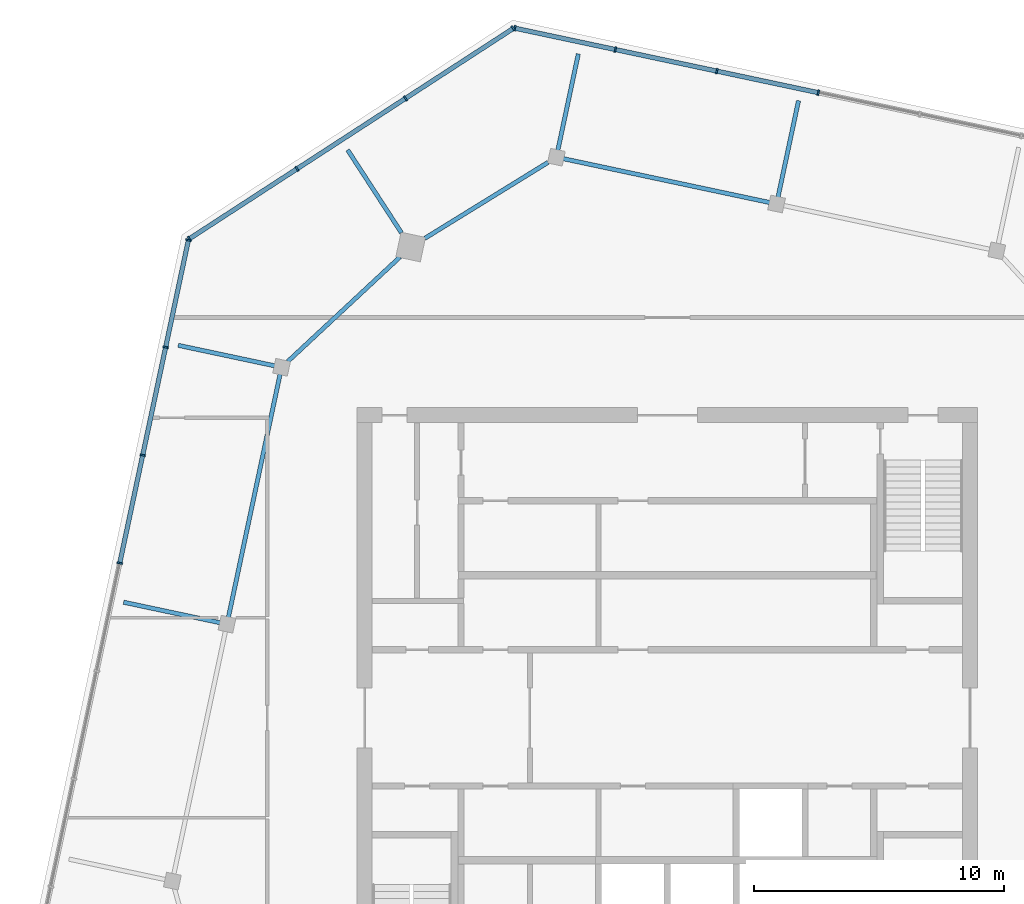
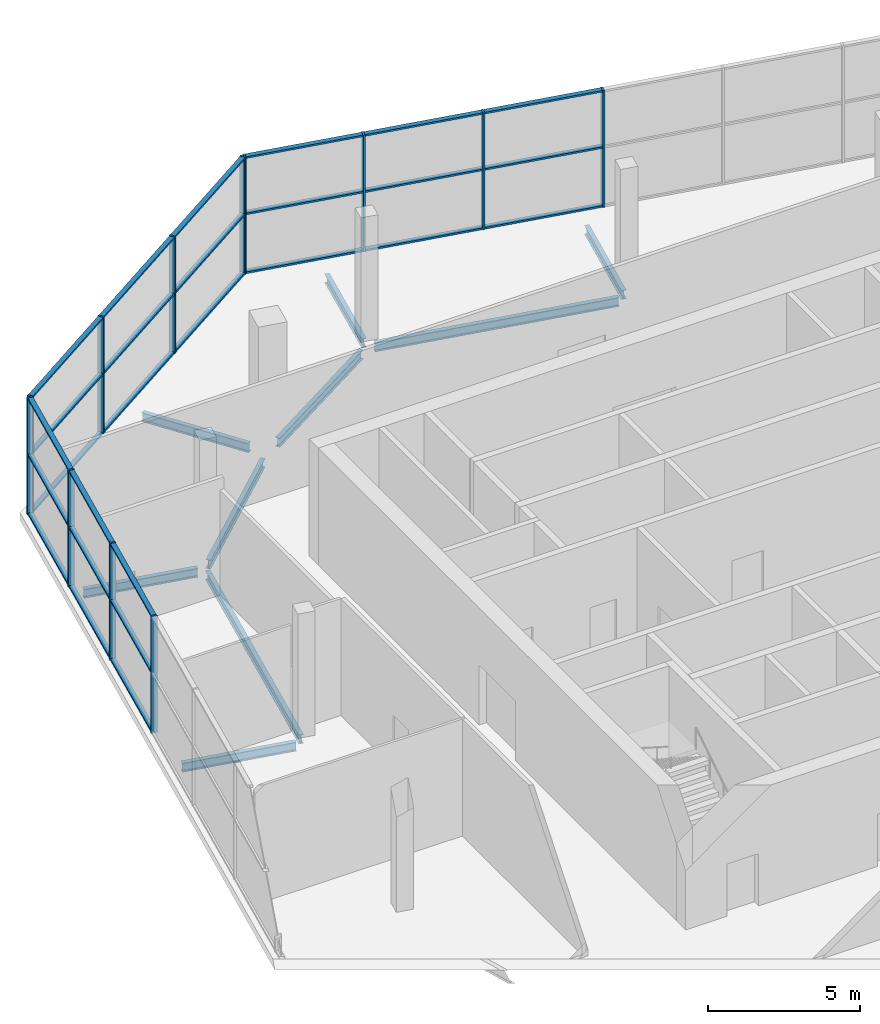
# One storey, part 5 of 11: 39 members, 9 beams, 3 elements without a shape of their own.
"""IFC4 building model written with IfcOpenShell, lengths in metres."""

from ifc_helpers import new_model, si_unit, direction, frame, origin, origin_2d, place, context, subcontext, project, spatial, rectangle, i_section, extrude, material, material_profile, profile_set, type_object, element, aggregate, save


model = new_model("IFC4")

# Units and contexts
model_context = context("Model", 3, precision=1e-05, world=origin(), true_north=direction((0.0, 1.0)))
body_context = subcontext(model_context, "Body", "Model", "MODEL_VIEW")
ifc_project = project(units=[si_unit("LENGTHUNIT", "METRE"), si_unit("AREAUNIT", "SQUARE_METRE"), si_unit("VOLUMEUNIT", "CUBIC_METRE"), si_unit("PLANEANGLEUNIT", "RADIAN"), si_unit("MASSUNIT", "GRAM", prefix="KILO")], contexts=[model_context])

# Site, building, storey
site_placement = place(None, origin())
site = spatial("IfcSite", under=ifc_project, at=site_placement, CompositionType="ELEMENT")
building_placement = place(site_placement, origin())
building = spatial("IfcBuilding", under=site, at=building_placement, Name="Dilmun Exchange Tower", CompositionType="ELEMENT")
storey_placement = place(building_placement, frame((0.0, 0.0, 363.10009765625)))
storey = spatial("IfcBuildingStorey", under=building, at=storey_placement, Name="Crown L85", CompositionType="ELEMENT", Elevation=363.10009765625)

# Curtain wall, members
ifc_material_1 = material(Name="Anodised aluminium and clear glass", Category="aluminium")
curtain_wall_type = type_object("IfcCurtainWallType", Name="Sky garden glazing", PredefinedType="NOTDEFINED", material=ifc_material_1)
curtain_wall_1_placement = place(storey_placement, origin())
curtain_wall_1 = element("IfcCurtainWall", 1, at=curtain_wall_1_placement, inside=storey, type_object=curtain_wall_type, Name="Sky garden glazing run SG5", PredefinedType="NOTDEFINED")
ifc_material_2 = material(Name="Anodised aluminium", Category="aluminium")
ifc_material_profile_1 = material_profile(ifc_material_2, rectangle(XDim=0.219970703125, YDim=0.070068359375, at=origin_2d()), Name="AL 70x220")
ifc_profile_set_1 = profile_set([ifc_material_profile_1], Name="Anodised aluminium")
member_type_1 = type_object("IfcMemberType", Name="Sky garden glazing mullion 70 x 220", PredefinedType="MULLION", material=ifc_profile_set_1)
member_1_placement = place(storey_placement, frame((6.034912109375, 24.991455078125, 0.0), z_axis=(0.0, 0.0, 1.0), x_axis=(-0.207910236087, -0.978147909945, 0.0)))
member_1 = element("IfcMember", 2, at=member_1_placement, type_object=member_type_1, Name="SG5 mullion 4", PredefinedType="MULLION", context=body_context, shape_type="SweptSolid", body=[
    extrude(rectangle(XDim=0.219970703125, YDim=0.070068359375, at=origin_2d()), origin(), (0.0, 0.0, 1.0), 4.699951171875),
])
member_2_placement = place(storey_placement, frame((1.978759765625, 25.853515625, 0.0), z_axis=(0.0, 0.0, 1.0), x_axis=(-0.207910236087, -0.978147909945, 0.0)))
member_2 = element("IfcMember", 3, at=member_2_placement, type_object=member_type_1, Name="SG5 mullion 5", PredefinedType="MULLION", context=body_context, shape_type="SweptSolid", body=[
    extrude(rectangle(XDim=0.219970703125, YDim=0.070068359375, at=origin_2d()), origin(), (0.0, 0.0, 1.0), 4.699951171875),
])
member_3_placement = place(storey_placement, frame((-2.07763671875, 26.7158203125, 0.0), z_axis=(0.0, 0.0, 1.0), x_axis=(-0.207910236087, -0.978147909945, 0.0)))
member_3 = element("IfcMember", 4, at=member_3_placement, type_object=member_type_1, Name="SG5 mullion 6", PredefinedType="MULLION", context=body_context, shape_type="SweptSolid", body=[
    extrude(rectangle(XDim=0.219970703125, YDim=0.070068359375, at=origin_2d()), origin(), (0.0, 0.0, 1.0), 4.699951171875),
])
member_4_placement = place(storey_placement, frame((-6.099609375, 27.570556640625, 0.0), z_axis=(0.0, 0.0, 1.0), x_axis=(-0.207910236087, -0.978147909945, 0.0)))
member_4 = element("IfcMember", 5, at=member_4_placement, type_object=member_type_1, Name="SG5 mullion 7", PredefinedType="MULLION", context=body_context, shape_type="SweptSolid", body=[
    extrude(rectangle(XDim=0.219970703125, YDim=0.070068359375, at=origin_2d()), origin(), (0.0, 0.0, 1.0), 4.699951171875),
])

curtain_wall_2_placement = place(storey_placement, origin())
curtain_wall_2 = element("IfcCurtainWall", 6, at=curtain_wall_2_placement, inside=storey, type_object=curtain_wall_type, Name="Sky garden glazing run SG6", PredefinedType="NOTDEFINED")
member_5_placement = place(storey_placement, frame((-6.163330078125, 27.558837890625, 0.0), z_axis=(0.0, 0.0, 1.0), x_axis=(0.544638369094, -0.838671000399, 0.0)))
member_5 = element("IfcMember", 7, at=member_5_placement, type_object=member_type_1, Name="SG6 mullion 1", PredefinedType="MULLION", context=body_context, shape_type="SweptSolid", body=[
    extrude(rectangle(XDim=0.219970703125, YDim=0.070068359375, at=origin_2d()), origin(), (0.0, 0.0, 1.0), 4.699951171875),
])
member_6_placement = place(storey_placement, frame((-10.469482421875, 24.762451171875, 0.0), z_axis=(0.0, 0.0, 1.0), x_axis=(0.544638369094, -0.838671000399, 0.0)))
member_6 = element("IfcMember", 8, at=member_6_placement, type_object=member_type_1, Name="SG6 mullion 2", PredefinedType="MULLION", context=body_context, shape_type="SweptSolid", body=[
    extrude(rectangle(XDim=0.219970703125, YDim=0.070068359375, at=origin_2d()), origin(), (0.0, 0.0, 1.0), 4.699951171875),
])
member_7_placement = place(storey_placement, frame((-14.80517578125, 21.94677734375, 0.0), z_axis=(0.0, 0.0, 1.0), x_axis=(0.544638369094, -0.838671000399, 0.0)))
member_7 = element("IfcMember", 9, at=member_7_placement, type_object=member_type_1, Name="SG6 mullion 3", PredefinedType="MULLION", context=body_context, shape_type="SweptSolid", body=[
    extrude(rectangle(XDim=0.219970703125, YDim=0.070068359375, at=origin_2d()), origin(), (0.0, 0.0, 1.0), 4.699951171875),
])
member_8_placement = place(storey_placement, frame((-19.111328125, 19.150146484375, 0.0), z_axis=(0.0, 0.0, 1.0), x_axis=(0.544638369094, -0.838671000399, 0.0)))
member_8 = element("IfcMember", 10, at=member_8_placement, type_object=member_type_1, Name="SG6 mullion 4", PredefinedType="MULLION", context=body_context, shape_type="SweptSolid", body=[
    extrude(rectangle(XDim=0.219970703125, YDim=0.070068359375, at=origin_2d()), origin(), (0.0, 0.0, 1.0), 4.699951171875),
])

curtain_wall_3_placement = place(storey_placement, origin())
curtain_wall_3 = element("IfcCurtainWall", 11, at=curtain_wall_3_placement, inside=storey, type_object=curtain_wall_type, Name="Sky garden glazing run SG7", PredefinedType="NOTDEFINED")
member_9_placement = place(storey_placement, frame((-19.14794921875, 19.096923828125, 0.0), z_axis=(0.0, 0.0, 1.0), x_axis=(0.97814767341, -0.207911348902, 0.0)))
member_9 = element("IfcMember", 12, at=member_9_placement, type_object=member_type_1, Name="SG7 mullion 1", PredefinedType="MULLION", context=body_context, shape_type="SweptSolid", body=[
    extrude(rectangle(XDim=0.219970703125, YDim=0.070068359375, at=origin_2d()), origin(), (0.0, 0.0, 1.0), 4.699951171875),
])
member_10_placement = place(storey_placement, frame((-20.057861328125, 14.81591796875, 0.0), z_axis=(0.0, 0.0, 1.0), x_axis=(0.97814767341, -0.207911348902, 0.0)))
member_10 = element("IfcMember", 13, at=member_10_placement, type_object=member_type_1, Name="SG7 mullion 2", PredefinedType="MULLION", context=body_context, shape_type="SweptSolid", body=[
    extrude(rectangle(XDim=0.219970703125, YDim=0.070068359375, at=origin_2d()), origin(), (0.0, 0.0, 1.0), 4.699951171875),
])
member_11_placement = place(storey_placement, frame((-20.97509765625, 10.500732421875, 0.0), z_axis=(0.0, 0.0, 1.0), x_axis=(0.97814767341, -0.207911348902, 0.0)))
member_11 = element("IfcMember", 14, at=member_11_placement, type_object=member_type_1, Name="SG7 mullion 3", PredefinedType="MULLION", context=body_context, shape_type="SweptSolid", body=[
    extrude(rectangle(XDim=0.219970703125, YDim=0.070068359375, at=origin_2d()), origin(), (0.0, 0.0, 1.0), 4.699951171875),
])
member_12_placement = place(storey_placement, frame((-21.892333984375, 6.185546875, 0.0), z_axis=(0.0, 0.0, 1.0), x_axis=(0.97814767341, -0.207911348902, 0.0)))
member_12 = element("IfcMember", 15, at=member_12_placement, type_object=member_type_1, Name="SG7 mullion 4", PredefinedType="MULLION", context=body_context, shape_type="SweptSolid", body=[
    extrude(rectangle(XDim=0.219970703125, YDim=0.070068359375, at=origin_2d()), origin(), (0.0, 0.0, 1.0), 4.699951171875),
])

# Member
ifc_material_profile_2 = material_profile(ifc_material_2, rectangle(XDim=0.179931640625, YDim=0.070068359375, at=origin_2d()), Name="AL 70x180")
ifc_profile_set_2 = profile_set([ifc_material_profile_2], Name="Anodised aluminium")
member_type_2 = type_object("IfcMemberType", Name="Sky garden glazing transom 70 x 180", PredefinedType="USERDEFINED", material=ifc_profile_set_2)
member_13_placement = place(storey_placement, frame((6.000732421875, 24.99853515625, 0.034912109375), z_axis=(-0.978146369204, 0.207917484626, 0.0), x_axis=(-0.207917484626, -0.978146369204, 0.0)))
member_13 = element("IfcMember", 16, at=member_13_placement, type_object=member_type_2, Name="SG5 transom 4.1", ObjectType="TRANSOM", PredefinedType="USERDEFINED", context=body_context, shape_type="SweptSolid", body=[
    extrude(rectangle(XDim=0.179931640625, YDim=0.070068359375, at=origin_2d()), origin(), (0.0, 0.0, 1.0), 4.076904296875),
])

member_14_placement = place(storey_placement, frame((6.000732421875, 24.99853515625, 2.39990234375), z_axis=(-0.978146369204, 0.207917484626, 0.0), x_axis=(-0.207917484626, -0.978146369204, 0.0)))
member_14 = element("IfcMember", 17, at=member_14_placement, type_object=member_type_2, Name="SG5 transom 4.2", ObjectType="TRANSOM", PredefinedType="USERDEFINED", context=body_context, shape_type="SweptSolid", body=[
    extrude(rectangle(XDim=0.179931640625, YDim=0.070068359375, at=origin_2d()), origin(), (0.0, 0.0, 1.0), 4.076904296875),
])

member_15_placement = place(storey_placement, frame((6.000732421875, 24.99853515625, 4.664794921875), z_axis=(-0.978146369204, 0.207917484626, 0.0), x_axis=(-0.207917484626, -0.978146369204, 0.0)))
member_15 = element("IfcMember", 18, at=member_15_placement, type_object=member_type_2, Name="SG5 transom 4.3", ObjectType="TRANSOM", PredefinedType="USERDEFINED", context=body_context, shape_type="SweptSolid", body=[
    extrude(rectangle(XDim=0.179931640625, YDim=0.070068359375, at=origin_2d()), origin(), (0.0, 0.0, 1.0), 4.076904296875),
])

member_16_placement = place(storey_placement, frame((1.9443359375, 25.86083984375, 0.034912109375), z_axis=(-0.978146369204, 0.207917484626, 0.0), x_axis=(-0.207917484626, -0.978146369204, 0.0)))
member_16 = element("IfcMember", 19, at=member_16_placement, type_object=member_type_2, Name="SG5 transom 5.1", ObjectType="TRANSOM", PredefinedType="USERDEFINED", context=body_context, shape_type="SweptSolid", body=[
    extrude(rectangle(XDim=0.179931640625, YDim=0.070068359375, at=origin_2d()), origin(), (0.0, 0.0, 1.0), 4.076904296875),
])

member_17_placement = place(storey_placement, frame((1.9443359375, 25.86083984375, 2.39990234375), z_axis=(-0.978146369204, 0.207917484626, 0.0), x_axis=(-0.207917484626, -0.978146369204, 0.0)))
member_17 = element("IfcMember", 20, at=member_17_placement, type_object=member_type_2, Name="SG5 transom 5.2", ObjectType="TRANSOM", PredefinedType="USERDEFINED", context=body_context, shape_type="SweptSolid", body=[
    extrude(rectangle(XDim=0.179931640625, YDim=0.070068359375, at=origin_2d()), origin(), (0.0, 0.0, 1.0), 4.076904296875),
])

member_18_placement = place(storey_placement, frame((1.9443359375, 25.86083984375, 4.664794921875), z_axis=(-0.978146369204, 0.207917484626, 0.0), x_axis=(-0.207917484626, -0.978146369204, 0.0)))
member_18 = element("IfcMember", 21, at=member_18_placement, type_object=member_type_2, Name="SG5 transom 5.3", ObjectType="TRANSOM", PredefinedType="USERDEFINED", context=body_context, shape_type="SweptSolid", body=[
    extrude(rectangle(XDim=0.179931640625, YDim=0.070068359375, at=origin_2d()), origin(), (0.0, 0.0, 1.0), 4.076904296875),
])

member_19_placement = place(storey_placement, frame((-2.11181640625, 26.722900390625, 0.034912109375), z_axis=(-0.978149332227, 0.207903544617, 0.0), x_axis=(-0.207903544617, -0.978149332227, 0.0)))
member_19 = element("IfcMember", 22, at=member_19_placement, type_object=member_type_2, Name="SG5 transom 6.1", ObjectType="TRANSOM", PredefinedType="USERDEFINED", context=body_context, shape_type="SweptSolid", body=[
    extrude(rectangle(XDim=0.179931640625, YDim=0.070068359375, at=origin_2d()), origin(), (0.0, 0.0, 1.0), 4.0419921875),
])

member_20_placement = place(storey_placement, frame((-2.11181640625, 26.722900390625, 2.39990234375), z_axis=(-0.978149332227, 0.207903544617, 0.0), x_axis=(-0.207903544617, -0.978149332227, 0.0)))
member_20 = element("IfcMember", 23, at=member_20_placement, type_object=member_type_2, Name="SG5 transom 6.2", ObjectType="TRANSOM", PredefinedType="USERDEFINED", context=body_context, shape_type="SweptSolid", body=[
    extrude(rectangle(XDim=0.179931640625, YDim=0.070068359375, at=origin_2d()), origin(), (0.0, 0.0, 1.0), 4.0419921875),
])

member_21_placement = place(storey_placement, frame((-2.11181640625, 26.722900390625, 4.664794921875), z_axis=(-0.978149332227, 0.207903544617, 0.0), x_axis=(-0.207903544617, -0.978149332227, 0.0)))
member_21 = element("IfcMember", 24, at=member_21_placement, type_object=member_type_2, Name="SG5 transom 6.3", ObjectType="TRANSOM", PredefinedType="USERDEFINED", context=body_context, shape_type="SweptSolid", body=[
    extrude(rectangle(XDim=0.179931640625, YDim=0.070068359375, at=origin_2d()), origin(), (0.0, 0.0, 1.0), 4.0419921875),
])

aggregate(curtain_wall_1, [member_1, member_2, member_3, member_4, member_13, member_14, member_15, member_16, member_17, member_18, member_19, member_20, member_21])

member_22_placement = place(storey_placement, frame((-6.192626953125, 27.539794921875, 0.034912109375), z_axis=(-0.838679228037, -0.544625699411, 0.0), x_axis=(0.544625699411, -0.838679228037, 0.0)))
member_22 = element("IfcMember", 25, at=member_22_placement, type_object=member_type_2, Name="SG6 transom 1.1", ObjectType="TRANSOM", PredefinedType="USERDEFINED", context=body_context, shape_type="SweptSolid", body=[
    extrude(rectangle(XDim=0.179931640625, YDim=0.070068359375, at=origin_2d()), origin(), (0.0, 0.0, 1.0), 5.064697265625),
])

member_23_placement = place(storey_placement, frame((-6.192626953125, 27.539794921875, 2.39990234375), z_axis=(-0.838679228037, -0.544625699411, 0.0), x_axis=(0.544625699411, -0.838679228037, 0.0)))
member_23 = element("IfcMember", 26, at=member_23_placement, type_object=member_type_2, Name="SG6 transom 1.2", ObjectType="TRANSOM", PredefinedType="USERDEFINED", context=body_context, shape_type="SweptSolid", body=[
    extrude(rectangle(XDim=0.179931640625, YDim=0.070068359375, at=origin_2d()), origin(), (0.0, 0.0, 1.0), 5.064697265625),
])

member_24_placement = place(storey_placement, frame((-6.192626953125, 27.539794921875, 4.664794921875), z_axis=(-0.838679228037, -0.544625699411, 0.0), x_axis=(0.544625699411, -0.838679228037, 0.0)))
member_24 = element("IfcMember", 27, at=member_24_placement, type_object=member_type_2, Name="SG6 transom 1.3", ObjectType="TRANSOM", PredefinedType="USERDEFINED", context=body_context, shape_type="SweptSolid", body=[
    extrude(rectangle(XDim=0.179931640625, YDim=0.070068359375, at=origin_2d()), origin(), (0.0, 0.0, 1.0), 5.064697265625),
])

member_25_placement = place(storey_placement, frame((-10.498779296875, 24.7431640625, 0.034912109375), z_axis=(-0.838677614157, -0.544628184647, 0.0), x_axis=(0.544628184647, -0.838677614157, 0.0)))
member_25 = element("IfcMember", 28, at=member_25_placement, type_object=member_type_2, Name="SG6 transom 2.1", ObjectType="TRANSOM", PredefinedType="USERDEFINED", context=body_context, shape_type="SweptSolid", body=[
    extrude(rectangle(XDim=0.179931640625, YDim=0.070068359375, at=origin_2d()), origin(), (0.0, 0.0, 1.0), 5.099609375),
])

member_26_placement = place(storey_placement, frame((-10.498779296875, 24.7431640625, 2.39990234375), z_axis=(-0.838677614157, -0.544628184647, 0.0), x_axis=(0.544628184647, -0.838677614157, 0.0)))
member_26 = element("IfcMember", 29, at=member_26_placement, type_object=member_type_2, Name="SG6 transom 2.2", ObjectType="TRANSOM", PredefinedType="USERDEFINED", context=body_context, shape_type="SweptSolid", body=[
    extrude(rectangle(XDim=0.179931640625, YDim=0.070068359375, at=origin_2d()), origin(), (0.0, 0.0, 1.0), 5.099609375),
])

member_27_placement = place(storey_placement, frame((-10.498779296875, 24.7431640625, 4.664794921875), z_axis=(-0.838677614157, -0.544628184647, 0.0), x_axis=(0.544628184647, -0.838677614157, 0.0)))
member_27 = element("IfcMember", 30, at=member_27_placement, type_object=member_type_2, Name="SG6 transom 2.3", ObjectType="TRANSOM", PredefinedType="USERDEFINED", context=body_context, shape_type="SweptSolid", body=[
    extrude(rectangle(XDim=0.179931640625, YDim=0.070068359375, at=origin_2d()), origin(), (0.0, 0.0, 1.0), 5.099609375),
])

member_28_placement = place(storey_placement, frame((-14.83447265625, 21.927734375, 0.034912109375), z_axis=(-0.838679228037, -0.544625699411, 0.0), x_axis=(0.544625699411, -0.838679228037, 0.0)))
member_28 = element("IfcMember", 31, at=member_28_placement, type_object=member_type_2, Name="SG6 transom 3.1", ObjectType="TRANSOM", PredefinedType="USERDEFINED", context=body_context, shape_type="SweptSolid", body=[
    extrude(rectangle(XDim=0.179931640625, YDim=0.070068359375, at=origin_2d()), origin(), (0.0, 0.0, 1.0), 5.064697265625),
])

member_29_placement = place(storey_placement, frame((-14.83447265625, 21.927734375, 2.39990234375), z_axis=(-0.838679228037, -0.544625699411, 0.0), x_axis=(0.544625699411, -0.838679228037, 0.0)))
member_29 = element("IfcMember", 32, at=member_29_placement, type_object=member_type_2, Name="SG6 transom 3.2", ObjectType="TRANSOM", PredefinedType="USERDEFINED", context=body_context, shape_type="SweptSolid", body=[
    extrude(rectangle(XDim=0.179931640625, YDim=0.070068359375, at=origin_2d()), origin(), (0.0, 0.0, 1.0), 5.064697265625),
])

member_30_placement = place(storey_placement, frame((-14.83447265625, 21.927734375, 4.664794921875), z_axis=(-0.838679228037, -0.544625699411, 0.0), x_axis=(0.544625699411, -0.838679228037, 0.0)))
member_30 = element("IfcMember", 33, at=member_30_placement, type_object=member_type_2, Name="SG6 transom 3.3", ObjectType="TRANSOM", PredefinedType="USERDEFINED", context=body_context, shape_type="SweptSolid", body=[
    extrude(rectangle(XDim=0.179931640625, YDim=0.070068359375, at=origin_2d()), origin(), (0.0, 0.0, 1.0), 5.064697265625),
])

aggregate(curtain_wall_2, [member_5, member_6, member_7, member_8, member_22, member_23, member_24, member_25, member_26, member_27, member_28, member_29, member_30])

member_31_placement = place(storey_placement, frame((-19.1552734375, 19.062744140625, 0.034912109375), z_axis=(-0.207875705474, -0.978155248963, 0.0), x_axis=(0.978155248963, -0.207875705474, 0.0)))
member_31 = element("IfcMember", 34, at=member_31_placement, type_object=member_type_2, Name="SG7 transom 1.1", ObjectType="TRANSOM", PredefinedType="USERDEFINED", context=body_context, shape_type="SweptSolid", body=[
    extrude(rectangle(XDim=0.179931640625, YDim=0.070068359375, at=origin_2d()), origin(), (0.0, 0.0, 1.0), 4.306640625),
])

member_32_placement = place(storey_placement, frame((-19.1552734375, 19.062744140625, 2.39990234375), z_axis=(-0.207875705474, -0.978155248963, 0.0), x_axis=(0.978155248963, -0.207875705474, 0.0)))
member_32 = element("IfcMember", 35, at=member_32_placement, type_object=member_type_2, Name="SG7 transom 1.2", ObjectType="TRANSOM", PredefinedType="USERDEFINED", context=body_context, shape_type="SweptSolid", body=[
    extrude(rectangle(XDim=0.179931640625, YDim=0.070068359375, at=origin_2d()), origin(), (0.0, 0.0, 1.0), 4.306640625),
])

member_33_placement = place(storey_placement, frame((-19.1552734375, 19.062744140625, 4.664794921875), z_axis=(-0.207875705474, -0.978155248963, 0.0), x_axis=(0.978155248963, -0.207875705474, 0.0)))
member_33 = element("IfcMember", 36, at=member_33_placement, type_object=member_type_2, Name="SG7 transom 1.3", ObjectType="TRANSOM", PredefinedType="USERDEFINED", context=body_context, shape_type="SweptSolid", body=[
    extrude(rectangle(XDim=0.179931640625, YDim=0.070068359375, at=origin_2d()), origin(), (0.0, 0.0, 1.0), 4.306640625),
])

member_34_placement = place(storey_placement, frame((-20.065185546875, 14.78173828125, 0.034912109375), z_axis=(-0.207889019517, -0.978152419393, 0.0), x_axis=(0.978152419393, -0.207889019517, 0.0)))
member_34 = element("IfcMember", 37, at=member_34_placement, type_object=member_type_2, Name="SG7 transom 2.1", ObjectType="TRANSOM", PredefinedType="USERDEFINED", context=body_context, shape_type="SweptSolid", body=[
    extrude(rectangle(XDim=0.179931640625, YDim=0.070068359375, at=origin_2d()), origin(), (0.0, 0.0, 1.0), 4.341796875),
])

member_35_placement = place(storey_placement, frame((-20.065185546875, 14.78173828125, 2.39990234375), z_axis=(-0.207889019517, -0.978152419393, 0.0), x_axis=(0.978152419393, -0.207889019517, 0.0)))
member_35 = element("IfcMember", 38, at=member_35_placement, type_object=member_type_2, Name="SG7 transom 2.2", ObjectType="TRANSOM", PredefinedType="USERDEFINED", context=body_context, shape_type="SweptSolid", body=[
    extrude(rectangle(XDim=0.179931640625, YDim=0.070068359375, at=origin_2d()), origin(), (0.0, 0.0, 1.0), 4.341796875),
])

member_36_placement = place(storey_placement, frame((-20.065185546875, 14.78173828125, 4.664794921875), z_axis=(-0.207889019517, -0.978152419393, 0.0), x_axis=(0.978152419393, -0.207889019517, 0.0)))
member_36 = element("IfcMember", 39, at=member_36_placement, type_object=member_type_2, Name="SG7 transom 2.3", ObjectType="TRANSOM", PredefinedType="USERDEFINED", context=body_context, shape_type="SweptSolid", body=[
    extrude(rectangle(XDim=0.179931640625, YDim=0.070068359375, at=origin_2d()), origin(), (0.0, 0.0, 1.0), 4.341796875),
])

member_37_placement = place(storey_placement, frame((-20.982421875, 10.466552734375, 0.034912109375), z_axis=(-0.207889019517, -0.978152419393, 0.0), x_axis=(0.978152419393, -0.207889019517, 0.0)))
member_37 = element("IfcMember", 40, at=member_37_placement, type_object=member_type_2, Name="SG7 transom 3.1", ObjectType="TRANSOM", PredefinedType="USERDEFINED", context=body_context, shape_type="SweptSolid", body=[
    extrude(rectangle(XDim=0.179931640625, YDim=0.070068359375, at=origin_2d()), origin(), (0.0, 0.0, 1.0), 4.341796875),
])

member_38_placement = place(storey_placement, frame((-20.982421875, 10.466552734375, 2.39990234375), z_axis=(-0.207889019517, -0.978152419393, 0.0), x_axis=(0.978152419393, -0.207889019517, 0.0)))
member_38 = element("IfcMember", 41, at=member_38_placement, type_object=member_type_2, Name="SG7 transom 3.2", ObjectType="TRANSOM", PredefinedType="USERDEFINED", context=body_context, shape_type="SweptSolid", body=[
    extrude(rectangle(XDim=0.179931640625, YDim=0.070068359375, at=origin_2d()), origin(), (0.0, 0.0, 1.0), 4.341796875),
])

member_39_placement = place(storey_placement, frame((-20.982421875, 10.466552734375, 4.664794921875), z_axis=(-0.207889019517, -0.978152419393, 0.0), x_axis=(0.978152419393, -0.207889019517, 0.0)))
member_39 = element("IfcMember", 42, at=member_39_placement, type_object=member_type_2, Name="SG7 transom 3.3", ObjectType="TRANSOM", PredefinedType="USERDEFINED", context=body_context, shape_type="SweptSolid", body=[
    extrude(rectangle(XDim=0.179931640625, YDim=0.070068359375, at=origin_2d()), origin(), (0.0, 0.0, 1.0), 4.341796875),
])

aggregate(curtain_wall_3, [member_9, member_10, member_11, member_12, member_31, member_32, member_33, member_34, member_35, member_36, member_37, member_38, member_39])

# Beams
ifc_material_3 = material(Name="Steel S355", Category="steel")
ifc_material_profile_3 = material_profile(ifc_material_3, i_section(OverallWidth=0.169921875, OverallDepth=0.360107421875, WebThickness=0.008056640625, FlangeThickness=0.0126953125, FilletRadius=0.01806640625, at=origin_2d()), Name="IPE 360")
ifc_profile_set_3 = profile_set([ifc_material_profile_3], Name="Steel S355")
beam_type_1 = type_object("IfcBeamType", Name="crown cantilever beam IPE 360", PredefinedType="BEAM", material=ifc_profile_set_3)
beam_1_placement = place(storey_placement, frame((-10.63134765625, 19.390380859375, -0.47998046875), z_axis=(-0.544647223982, 0.838665249911, 0.0), x_axis=(-0.838665249911, -0.544647223982, 0.0)))
element("IfcBeam", 43, at=beam_1_placement, inside=storey, type_object=beam_type_1, Name="Crown cantilever beam 1", PredefinedType="BEAM", context=body_context, shape_type="SweptSolid", body=[
    extrude(i_section(OverallWidth=0.169921875, OverallDepth=0.360107421875, WebThickness=0.008056640625, FlangeThickness=0.0126953125, FilletRadius=0.01806640625, at=origin_2d()), origin(), (0.0, 0.0, 1.0), 3.949951171875),
])
for number, where, z_axis, x_axis, name in (
    (44, (-15.69091796875, 14.06982421875, -0.47998046875), (-0.978146596989, 0.207916413008, 0.0), (-0.207916413008, -0.978146596989, 0.0), "Crown cantilever beam 2"),
    (45, (-17.8740234375, 3.798828125, -0.47998046875), (-0.978146596989, 0.207916413008, 0.0), (-0.207916413008, -0.978146596989, 0.0), "Crown cantilever beam 3"),
):
    element("IfcBeam", number, at=place(storey_placement, frame(where, z_axis=z_axis, x_axis=x_axis)), inside=storey, type_object=beam_type_1, Name=name, PredefinedType="BEAM", context=body_context, shape_type="SweptSolid", body=[
        extrude(i_section(OverallWidth=0.169921875, OverallDepth=0.360107421875, WebThickness=0.008056640625, FlangeThickness=0.0126953125, FilletRadius=0.01806640625, at=origin_2d()), origin(), (0.0, 0.0, 1.0), 3.9501953125),
    ])
beam_2_placement = place(storey_placement, frame((4.4228515625, 20.80810546875, -0.47998046875), z_axis=(0.20786984461, 0.978156494484, 0.0), x_axis=(-0.978156494484, 0.20786984461, 0.0)))
element("IfcBeam", 46, at=beam_2_placement, inside=storey, type_object=beam_type_1, Name="Crown cantilever beam 15", PredefinedType="BEAM", context=body_context, shape_type="SweptSolid", body=[
    extrude(i_section(OverallWidth=0.169921875, OverallDepth=0.360107421875, WebThickness=0.008056640625, FlangeThickness=0.0126953125, FilletRadius=0.01806640625, at=origin_2d()), origin(), (0.0, 0.0, 1.0), 3.94970703125),
])
beam_3_placement = place(storey_placement, frame((-4.380126953125, 22.678955078125, -0.47998046875), z_axis=(0.207857277402, 0.978159165081, 0.0), x_axis=(-0.978159165081, 0.207857277402, 0.0)))
element("IfcBeam", 47, at=beam_3_placement, inside=storey, type_object=beam_type_1, Name="Crown cantilever beam 16", PredefinedType="BEAM", context=body_context, shape_type="SweptSolid", body=[
    extrude(i_section(OverallWidth=0.169921875, OverallDepth=0.360107421875, WebThickness=0.008056640625, FlangeThickness=0.0126953125, FilletRadius=0.01806640625, at=origin_2d()), origin(), (0.0, 0.0, 1.0), 3.949951171875),
])
ifc_material_profile_4 = material_profile(ifc_material_3, i_section(OverallWidth=0.169921875, OverallDepth=0.360107421875, WebThickness=0.008056640625, FlangeThickness=0.0126953125, FilletRadius=0.01806640625, at=origin_2d()), Name="IPE 360")
ifc_profile_set_4 = profile_set([ifc_material_profile_4], Name="Steel S355")
beam_type_2 = type_object("IfcBeamType", Name="crown ring beam IPE 360", PredefinedType="BEAM", material=ifc_profile_set_4)
beam_4_placement = place(storey_placement, frame((-10.688232421875, 18.422119140625, -0.47998046875), z_axis=(-0.731902192128, -0.681409701398, 0.0), x_axis=(0.681409701398, -0.731902192128, 0.0)))
element("IfcBeam", 48, at=beam_4_placement, inside=storey, type_object=beam_type_2, Name="Crown ring beam 1", PredefinedType="BEAM", context=body_context, shape_type="SweptSolid", body=[
    extrude(i_section(OverallWidth=0.169921875, OverallDepth=0.360107421875, WebThickness=0.008056640625, FlangeThickness=0.0126953125, FilletRadius=0.01806640625, at=origin_2d()), origin(), (0.0, 0.0, 1.0), 6.131103515625),
])
beam_5_placement = place(storey_placement, frame((-15.480712890625, 13.74609375, -0.47998046875), z_axis=(-0.207902460752, -0.978149562599, 0.0), x_axis=(0.978149562599, -0.207902460752, 0.0)))
element("IfcBeam", 49, at=beam_5_placement, inside=storey, type_object=beam_type_2, Name="Crown ring beam 2", PredefinedType="BEAM", context=body_context, shape_type="SweptSolid", body=[
    extrude(i_section(OverallWidth=0.169921875, OverallDepth=0.360107421875, WebThickness=0.008056640625, FlangeThickness=0.0126953125, FilletRadius=0.01806640625, at=origin_2d()), origin(), (0.0, 0.0, 1.0), 9.95458984375),
])
beam_6_placement = place(storey_placement, frame((4.09912109375, 20.597900390625, -0.47998046875), z_axis=(-0.978155180899, 0.207876025749, 0.0), x_axis=(-0.207876025749, -0.978155180899, 0.0)))
element("IfcBeam", 50, at=beam_6_placement, inside=storey, type_object=beam_type_2, Name="Crown ring beam 15", PredefinedType="BEAM", context=body_context, shape_type="SweptSolid", body=[
    extrude(i_section(OverallWidth=0.169921875, OverallDepth=0.360107421875, WebThickness=0.008056640625, FlangeThickness=0.0126953125, FilletRadius=0.01806640625, at=origin_2d()), origin(), (0.0, 0.0, 1.0), 8.45361328125),
])
beam_7_placement = place(storey_placement, frame((-4.76708984375, 22.20849609375, -0.47998046875), z_axis=(-0.851138218853, -0.524941646669, 0.0), x_axis=(0.524941646669, -0.851138218853, 0.0)))
element("IfcBeam", 51, at=beam_7_placement, inside=storey, type_object=beam_type_2, Name="Crown ring beam 16", PredefinedType="BEAM", context=body_context, shape_type="SweptSolid", body=[
    extrude(i_section(OverallWidth=0.169921875, OverallDepth=0.360107421875, WebThickness=0.008056640625, FlangeThickness=0.0126953125, FilletRadius=0.01806640625, at=origin_2d()), origin(), (0.0, 0.0, 1.0), 5.790771484375),
])

save(model, "model.ifc")
